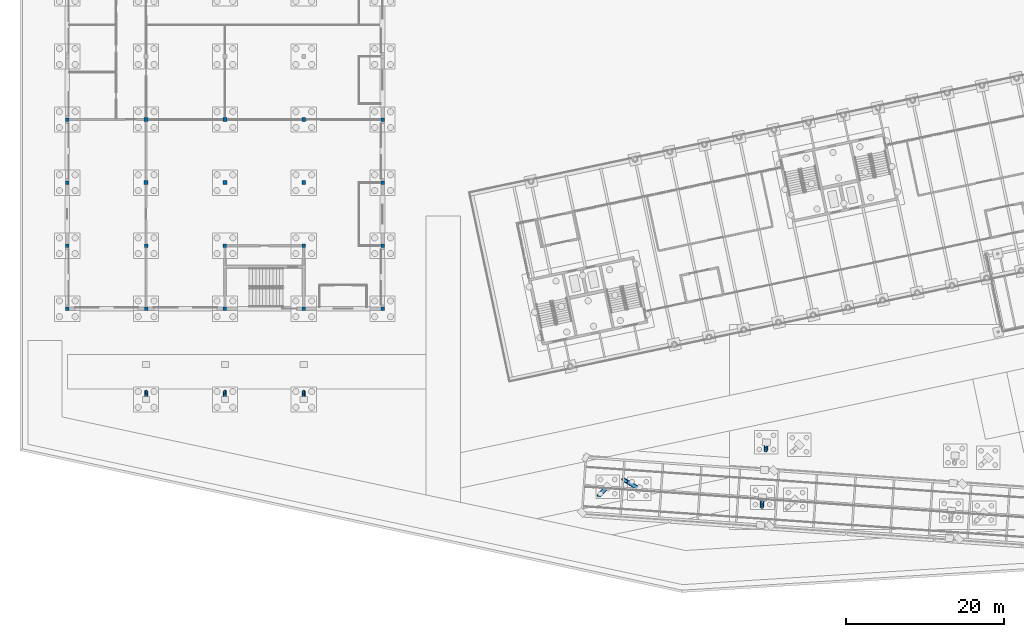
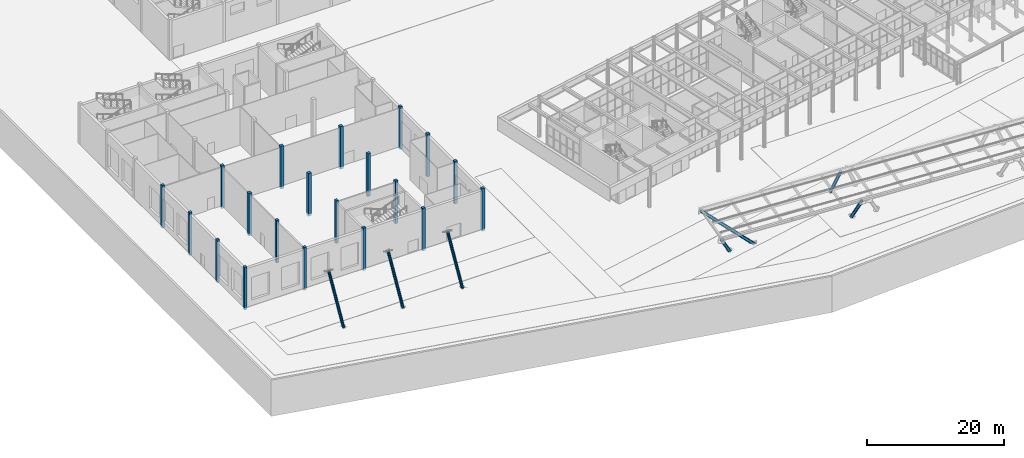
# One storey, part 11 of 239: 27 columns.
"""IFC4 building model written with IfcOpenShell, lengths in metres."""

import ifcopenshell
import ifcopenshell.guid

model = None  # the IFC model being written
_history = None  # IfcOwnerHistory: only IFC2X3 demands one
_inside = {}  # id of a spatial element -> (the spatial element, [elements in it])
_under = {}  # id of a project, library or spatial element -> (it, [spatial elements below it])
_declared = {}  # id of a project -> (the project, [libraries it declares])
_typed = {}  # id of a type object -> (the type object, [elements of that type])
_made_of = {}  # id of a material, layer set ... -> (it, [elements and type objects made of it])


def new_model(schema):
    """Start an empty IFC model of exactly this schema.

    Asked for "IFC4X3", IfcOpenShell would pick the latest addendum, in which some entities
    have other attributes; the version numbers below select the first issue.
    IFC2X3 requires an IfcOwnerHistory on every rooted entity: one is made here for all.
    """
    global model, _history
    if schema == "IFC4X3":
        model = ifcopenshell.file(schema_version=(4, 3, 0, 0))
    else:
        model = ifcopenshell.file(schema=schema)
    _inside.clear()
    _under.clear()
    _declared.clear()
    _typed.clear()
    _made_of.clear()
    _history = None
    if model.schema == "IFC2X3":
        org = make("IfcOrganization", Name="unknown")
        user = make(
            "IfcPersonAndOrganization",
            ThePerson=make("IfcPerson", FamilyName="unknown"),
            TheOrganization=org,
        )
        app = make(
            "IfcApplication",
            ApplicationDeveloper=org,
            Version="unknown",
            ApplicationFullName="unknown",
            ApplicationIdentifier="unknown",
        )
        _history = make(
            "IfcOwnerHistory",
            OwningUser=user,
            OwningApplication=app,
            ChangeAction="ADDED",
            CreationDate=0,
        )
    return model


def make(cls, **values):
    """One entity of the class cls with the attributes given. An attribute that is None is left unset."""
    return model.create_entity(
        cls, **{name: value for name, value in values.items() if value is not None}
    )


def rooted(cls, **values):
    """An entity with a GlobalId (a new one), such as an element, a storey or a relation."""
    return make(cls, GlobalId=ifcopenshell.guid.new(), OwnerHistory=_history, **values)


def si_unit(unit_type, name, prefix=None):
    """IfcSIUnit, for example si_unit("LENGTHUNIT", "METRE", prefix="MILLI")."""
    return make("IfcSIUnit", UnitType=unit_type, Prefix=prefix, Name=name)


def assignment(units):
    """IfcUnitAssignment: the units of a project."""
    return None if units is None else make("IfcUnitAssignment", Units=units)


def point(xyz):
    """IfcCartesianPoint."""
    return None if xyz is None else make("IfcCartesianPoint", Coordinates=xyz)


def direction(xyz):
    """IfcDirection."""
    return None if xyz is None else make("IfcDirection", DirectionRatios=xyz)


def frame(location, z_axis=None, x_axis=None):
    """IfcAxis2Placement3D, a coordinate frame: its origin and axes. An axis left out is left unset."""
    return make(
        "IfcAxis2Placement3D",
        Location=point(location),
        Axis=direction(z_axis),
        RefDirection=direction(x_axis),
    )


def frame_2d(location, x_axis=None):
    """IfcAxis2Placement2D, a coordinate frame in the plane: its origin and x axis."""
    return make(
        "IfcAxis2Placement2D", Location=point(location), RefDirection=direction(x_axis)
    )


def origin():
    """The frame at (0, 0, 0) with its axes left unset."""
    return frame((0.0, 0.0, 0.0))


def origin_2d():
    """The frame at (0, 0) in the plane with its x axis left unset."""
    return frame_2d((0.0, 0.0))


def place(relative_to, where):
    """IfcLocalPlacement: puts the frame where relative to a parent placement (None: the world)."""
    return make(
        "IfcLocalPlacement", PlacementRelTo=relative_to, RelativePlacement=where
    )


def context(
    kind, dimensions, precision=None, world=None, true_north=None, identifier=None
):
    """IfcGeometricRepresentationContext, for example the 3D "Model" context."""
    return make(
        "IfcGeometricRepresentationContext",
        ContextIdentifier=identifier,
        ContextType=kind,
        CoordinateSpaceDimension=dimensions,
        Precision=precision,
        WorldCoordinateSystem=world,
        TrueNorth=true_north,
    )


def subcontext(parent, identifier, kind, view, scale=None):
    """IfcGeometricRepresentationSubContext, for example "Body" below "Model"."""
    return make(
        "IfcGeometricRepresentationSubContext",
        ContextIdentifier=identifier,
        ContextType=kind,
        ParentContext=parent,
        TargetScale=scale,
        TargetView=view,
    )


def project(units=None, contexts=None):
    """IfcProject with its units and contexts."""
    return rooted(
        "IfcProject",
        Name="project",
        RepresentationContexts=contexts,
        UnitsInContext=assignment(units),
    )


def spatial(cls, under=None, at=None, **own):
    """A site, building, storey or space (cls), placed at a placement, below another one or the project."""
    s = rooted(cls, ObjectPlacement=at, **own)
    if under is not None:
        _under.setdefault(under.id(), (under, []))[1].append(s)
    return s


def profile(cls, at=None, kind="AREA", **sizes):
    """A parametric profile (cls). Its sizes go by their IFC names, for example OverallWidth=200.0."""
    return make(cls, ProfileType=kind, Position=at, **sizes)


def rectangle(**sizes):
    """IfcRectangleProfileDef."""
    return profile("IfcRectangleProfileDef", **sizes)


def hollow_circle(**sizes):
    """IfcCircleHollowProfileDef."""
    return profile("IfcCircleHollowProfileDef", **sizes)


def extrude(swept, where, along, depth):
    """IfcExtrudedAreaSolid: the profile swept, set in the frame where, extruded along a direction by depth."""
    return make(
        "IfcExtrudedAreaSolid",
        SweptArea=swept,
        Position=where,
        ExtrudedDirection=direction(along),
        Depth=depth,
    )


def shape(context_of_items, identifier, shape_type, items):
    """IfcShapeRepresentation: the items that make up one representation, for example the "Body"."""
    return make(
        "IfcShapeRepresentation",
        ContextOfItems=context_of_items,
        RepresentationIdentifier=identifier,
        RepresentationType=shape_type,
        Items=items,
    )


def material(Name=None, Category=None):
    """IfcMaterial."""
    return make("IfcMaterial", Name=Name, Category=Category)


def material_profile(
    of_material, cross_section, Name=None, Category=None, Priority=None
):
    """IfcMaterialProfile: a cross section and its material."""
    return make(
        "IfcMaterialProfile",
        Name=Name,
        Material=of_material,
        Profile=cross_section,
        Priority=Priority,
        Category=Category,
    )


def profile_set(profiles, Name=None, composite=None):
    """IfcMaterialProfileSet."""
    return make(
        "IfcMaterialProfileSet",
        Name=Name,
        MaterialProfiles=profiles,
        CompositeProfile=composite,
    )


def made_of(thing, what):
    """Note that an element or type object is made of a material, layer set ...; save() writes the relation."""
    if what is not None:
        _made_of.setdefault(what.id(), (what, []))[1].append(thing)
    return thing


def type_object(cls, material=None, **own):
    """A type object (cls), such as IfcWallType, which elements share."""
    return made_of(rooted(cls, **own), material)


def element(
    cls,
    number,
    at=None,
    inside=None,
    cuts=None,
    type_object=None,
    material=None,
    context=None,
    identifier="Body",
    shape_type=None,
    held_by="IfcProductDefinitionShape",
    body=None,
    shapes=None,
    **own,
):
    """One element of the class cls, such as IfcWall. Its Tag is "e" and its number.

    at: its placement. inside: the storey or other place that contains it. cuts: it is an
    opening in that element (IfcRelVoidsElement). A single representation is given by context,
    identifier, shape_type and body (its items); several are given by shapes. held_by: the class
    of the entity that holds the representations. save() writes the other relations.
    """
    e = rooted(cls, Tag="e%d" % number, ObjectPlacement=at, **own)
    if body is not None:
        shapes = [shape(context, identifier, shape_type, body)]
    if shapes is not None:
        e.Representation = make(held_by, Representations=shapes)
    if inside is not None:
        _inside.setdefault(inside.id(), (inside, []))[1].append(e)
    if cuts is not None:
        rooted(
            "IfcRelVoidsElement", RelatingBuildingElement=cuts, RelatedOpeningElement=e
        )
    if type_object is not None:
        _typed.setdefault(type_object.id(), (type_object, []))[1].append(e)
    return made_of(e, material)


def aggregate(whole, parts):
    """IfcRelAggregates: a whole, such as a stair, and the parts it consists of."""
    return rooted("IfcRelAggregates", RelatingObject=whole, RelatedObjects=parts)


def save(model, path):
    """Write the relations noted so far, then the file.

    IfcRelAggregates (storeys below a building ...), IfcRelContainedInSpatialStructure (elements
    in a storey), IfcRelDefinesByType, IfcRelAssociatesMaterial and IfcRelDeclares: one each for
    every whole, place, type object, material and project.
    """
    for whole, parts in _under.values():
        aggregate(whole, parts)
    for where, things in _inside.values():
        rooted(
            "IfcRelContainedInSpatialStructure",
            RelatedElements=things,
            RelatingStructure=where,
        )
    for kind, things in _typed.values():
        rooted("IfcRelDefinesByType", RelatedObjects=things, RelatingType=kind)
    for what, things in _made_of.values():
        rooted("IfcRelAssociatesMaterial", RelatedObjects=things, RelatingMaterial=what)
    for by, libraries in _declared.values():
        rooted("IfcRelDeclares", RelatingContext=by, RelatedDefinitions=libraries)
    model.write(path)


model = new_model("IFC4")

# Units and contexts
model_context = context("Model", 3, precision=1e-05, world=origin(), true_north=direction((0.0, 1.0)))
body_context = subcontext(model_context, "Body", "Model", "MODEL_VIEW")
ifc_project = project(units=[si_unit("LENGTHUNIT", "METRE"), si_unit("AREAUNIT", "SQUARE_METRE"), si_unit("VOLUMEUNIT", "CUBIC_METRE"), si_unit("PLANEANGLEUNIT", "RADIAN"), si_unit("MASSUNIT", "GRAM", prefix="KILO")], contexts=[model_context])

# Site, building, storey
site_placement = place(None, origin())
site = spatial("IfcSite", under=ifc_project, at=site_placement, CompositionType="ELEMENT")
building_placement = place(site_placement, origin())
building = spatial("IfcBuilding", under=site, at=building_placement, Name="Okhra Congress Centre", CompositionType="ELEMENT")
storey_placement = place(building_placement, origin())
storey = spatial("IfcBuildingStorey", under=building, at=storey_placement, Name="L00", CompositionType="ELEMENT", Elevation=0.0)

# Columns
ifc_material_1 = material(Name="Concrete C35/45", Category="concrete")
ifc_material_profile_1 = material_profile(ifc_material_1, rectangle(XDim=0.449951171875, YDim=0.449951171875, at=origin_2d()), Name="RC 450x450")
ifc_profile_set_1 = profile_set([ifc_material_profile_1], Name="Concrete C35/45")
column_type_1 = type_object("IfcColumnType", Name="RC column 450x450 C35/45", PredefinedType="COLUMN", material=ifc_profile_set_1)
for number, where, z_axis, x_axis, name in (
    (1, (6.0, 36.0, -0.39990234375), (0.0, 0.0, 1.0), (1.0, 0.0, 0.0), "RS.COL.L00.1"),
    (2, (6.0, 44.0, -0.39990234375), (0.0, 0.0, 1.0), (1.0, 0.0, 0.0), "RS.COL.L00.2"),
    (3, (6.0, 52.0, -0.39990234375), (0.0, 0.0, 1.0), (1.0, 0.0, 0.0), "RS.COL.L00.3"),
    (4, (6.0, 60.0, -0.39990234375), (0.0, 0.0, 1.0), (1.0, 0.0, 0.0), "RS.COL.L00.4"),
    (5, (16.0, 36.0, -0.39990234375), (0.0, 0.0, 1.0), (1.0, 0.0, 0.0), "RS.COL.L00.8"),
    (6, (16.0, 44.0, -0.39990234375), (0.0, 0.0, 1.0), (1.0, 0.0, 0.0), "RS.COL.L00.9"),
    (7, (26.0, 36.0, -0.39990234375), (0.0, 0.0, 1.0), (1.0, 0.0, 0.0), "RS.COL.L00.15"),
    (8, (26.0, 44.0, -0.39990234375), (0.0, 0.0, 1.0), (1.0, 0.0, 0.0), "RS.COL.L00.16"),
    (9, (36.0, 36.0, -0.39990234375), (0.0, 0.0, 1.0), (1.0, 0.0, 0.0), "RS.COL.L00.22"),
    (10, (36.0, 44.0, -0.39990234375), (0.0, 0.0, 1.0), (1.0, 0.0, 0.0), "RS.COL.L00.23"),
    (11, (46.0, 36.0, -0.39990234375), (0.0, 0.0, 1.0), (1.0, 0.0, 0.0), "RS.COL.L00.29"),
    (12, (46.0, 44.0, -0.39990234375), (0.0, 0.0, 1.0), (1.0, 0.0, 0.0), "RS.COL.L00.30"),
    (13, (46.0, 52.0, -0.39990234375), (0.0, 0.0, 1.0), (1.0, 0.0, 0.0), "RS.COL.L00.31"),
    (14, (46.0, 60.0, -0.39990234375), (0.0, 0.0, 1.0), (1.0, 0.0, 0.0), "RS.COL.L00.32"),
):
    element("IfcColumn", number, at=place(storey_placement, frame(where, z_axis=z_axis, x_axis=x_axis)), inside=storey, type_object=column_type_1, Name=name, PredefinedType="COLUMN", context=body_context, shape_type="SweptSolid", body=[
        extrude(rectangle(XDim=0.449951171875, YDim=0.449951171875, at=origin_2d()), origin(), (0.0, 0.0, 1.0), 7.599853515625),
    ])
ifc_material_profile_2 = material_profile(ifc_material_1, rectangle(XDim=0.5, YDim=0.5, at=origin_2d()), Name="RC 500x500")
ifc_profile_set_2 = profile_set([ifc_material_profile_2], Name="Concrete C35/45")
column_type_2 = type_object("IfcColumnType", Name="RC column 500x500 C35/45", PredefinedType="COLUMN", material=ifc_profile_set_2)
for number, where, z_axis, x_axis, name in (
    (15, (16.0, 52.0, -0.39990234375), (0.0, 0.0, 1.0), (1.0, 0.0, 0.0), "RS.COL.L00.10"),
    (16, (16.0, 60.0, -0.39990234375), (0.0, 0.0, 1.0), (1.0, 0.0, 0.0), "RS.COL.L00.11"),
    (17, (26.0, 52.0, -0.39990234375), (0.0, 0.0, 1.0), (1.0, 0.0, 0.0), "RS.COL.L00.17"),
    (18, (26.0, 60.0, -0.39990234375), (0.0, 0.0, 1.0), (1.0, 0.0, 0.0), "RS.COL.L00.18"),
    (19, (36.0, 52.0, -0.39990234375), (0.0, 0.0, 1.0), (1.0, 0.0, 0.0), "RS.COL.L00.24"),
    (20, (36.0, 60.0, -0.39990234375), (0.0, 0.0, 1.0), (1.0, 0.0, 0.0), "RS.COL.L00.25"),
):
    element("IfcColumn", number, at=place(storey_placement, frame(where, z_axis=z_axis, x_axis=x_axis)), inside=storey, type_object=column_type_2, Name=name, PredefinedType="COLUMN", context=body_context, shape_type="SweptSolid", body=[
        extrude(rectangle(XDim=0.5, YDim=0.5, at=origin_2d()), origin(), (0.0, 0.0, 1.0), 7.599853515625),
    ])
ifc_material_2 = material(Name="Steel S355J2H", Category="steel")
ifc_material_profile_3 = material_profile(ifc_material_2, hollow_circle(Radius=0.228515625, WallThickness=0.01611328125, at=origin_2d()), Name="CHS 457x16")
ifc_profile_set_3 = profile_set([ifc_material_profile_3], Name="Steel S355J2H")
column_type_3 = type_object("IfcColumnType", Name="Raking steel strut CHS 457x16", PredefinedType="COLUMN", material=ifc_profile_set_3)
for number, where, z_axis, x_axis, name in (
    (21, (16.0, 24.5, -0.39990234375), (0.0, 0.50300935633, 0.864280965569), (-1.0, 0.0, 0.0), "Terrace prow raking strut 1"),
    (22, (26.0, 24.5, -0.39990234375), (0.0, 0.50300935633, 0.864280965569), (-1.0, 0.0, 0.0), "Terrace prow raking strut 2"),
    (23, (36.0, 24.5, -0.39990234375), (0.0, 0.50300935633, 0.864280965569), (-1.0, 0.0, 0.0), "Terrace prow raking strut 3"),
):
    element("IfcColumn", number, at=place(storey_placement, frame(where, z_axis=z_axis, x_axis=x_axis)), inside=storey, type_object=column_type_3, Name=name, PredefinedType="COLUMN", context=body_context, shape_type="SweptSolid", body=[
        extrude(hollow_circle(Radius=0.228515625, WallThickness=0.01611328125, at=origin_2d()), origin(), (0.0, 0.0, 1.0), 8.793212890625),
    ])
ifc_material_profile_4 = material_profile(ifc_material_2, hollow_circle(Radius=0.25390625, WallThickness=0.02001953125, at=origin_2d()), Name="CHS 508x20")
ifc_profile_set_4 = profile_set([ifc_material_profile_4], Name="Steel S355J2H")
column_type_4 = type_object("IfcColumnType", Name="Raking steel strut CHS 508x20", PredefinedType="COLUMN", material=ifc_profile_set_4)
column_1_placement = place(storey_placement, frame((74.551025390625, 13.44091796875, -0.39990234375), z_axis=(-0.474246085992, -0.480899410174, 0.737445867312), x_axis=(0.712015050668, -0.702164202749, 0.0)))
element("IfcColumn", 24, at=column_1_placement, inside=storey, type_object=column_type_4, Name="Covered promenade raking strut 1", PredefinedType="COLUMN", context=body_context, shape_type="SweptSolid", body=[
    extrude(hollow_circle(Radius=0.25390625, WallThickness=0.02001953125, at=origin_2d()), origin(), (0.0, 0.0, 1.0), 6.8251953125),
])
column_2_placement = place(storey_placement, frame((78.541259765625, 13.161865234375, -0.39990234375), z_axis=(-0.687863538015, 0.406233734265, 0.601513014168), x_axis=(-0.50851489422, -0.861053193686, 0.0)))
element("IfcColumn", 25, at=column_2_placement, inside=storey, type_object=column_type_4, Name="Covered promenade raking strut 2", PredefinedType="COLUMN", context=body_context, shape_type="SweptSolid", body=[
    extrude(hollow_circle(Radius=0.25390625, WallThickness=0.02001953125, at=origin_2d()), origin(), (0.0, 0.0, 1.0), 9.796630859375),
])
column_3_placement = place(storey_placement, frame((94.203125, 12.066650390625, -0.39990234375), z_axis=(-0.039823951277, -0.569522327217, 0.821010579533), x_axis=(0.997564163539, -0.069754853754, 0.0)))
element("IfcColumn", 26, at=column_3_placement, inside=storey, type_object=column_type_4, Name="Covered promenade raking strut 3", PredefinedType="COLUMN", context=body_context, shape_type="SweptSolid", body=[
    extrude(hollow_circle(Radius=0.25390625, WallThickness=0.02001953125, at=origin_2d()), origin(), (0.0, 0.0, 1.0), 6.130615234375),
])
column_4_placement = place(storey_placement, frame((94.69140625, 19.049560546875, -0.39990234375), z_axis=(-0.035620962682, -0.509415387318, 0.859783176261), x_axis=(0.997564163539, -0.069754853754, 0.0)))
element("IfcColumn", 27, at=column_4_placement, inside=storey, type_object=column_type_4, Name="Covered promenade raking strut 5", PredefinedType="COLUMN", context=body_context, shape_type="SweptSolid", body=[
    extrude(hollow_circle(Radius=0.25390625, WallThickness=0.02001953125, at=origin_2d()), origin(), (0.0, 0.0, 1.0), 6.853759765625),
])

save(model, "model.ifc")
